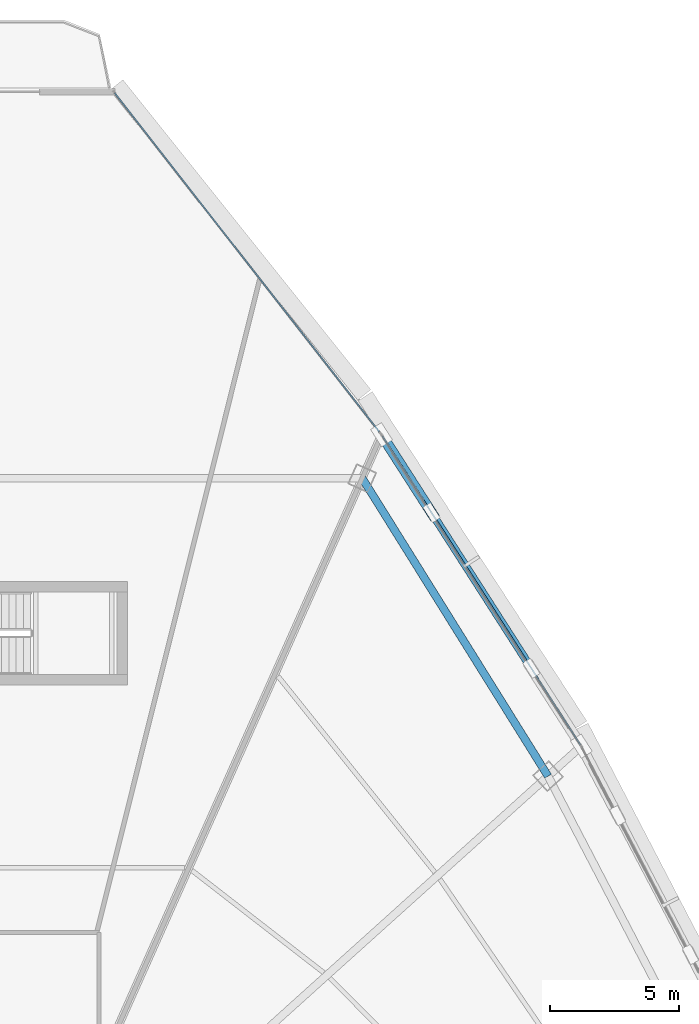
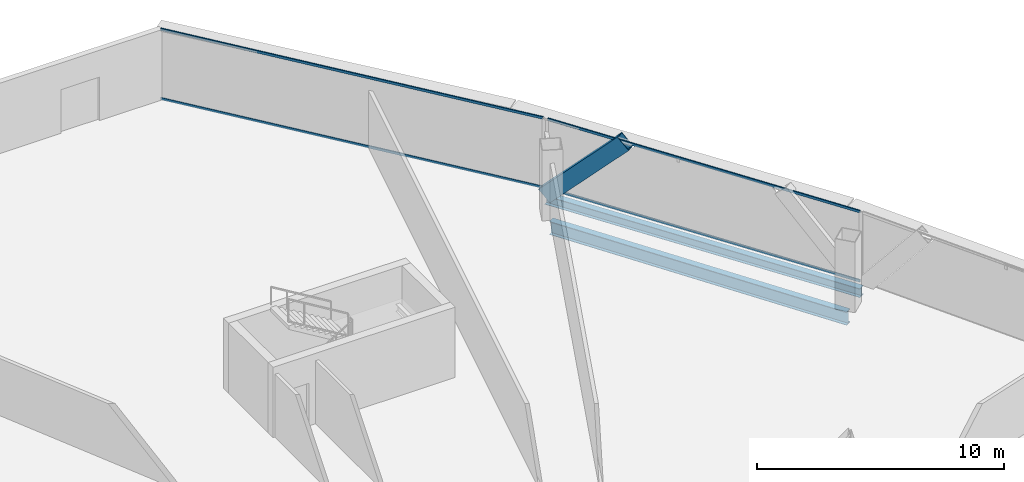
# One storey, part 24 of 37: 5 members, 2 beams, 2 elements without a shape of their own.
"""IFC4 building model written with IfcOpenShell, lengths in metres."""

from ifc_helpers import new_model, si_unit, direction, frame, origin, origin_2d, place, context, subcontext, project, spatial, hollow_rectangle, i_section, extrude, source, transform, mapped, material, layer, layer_set, material_profile, profile_set, type_object, element, aggregate, save


model = new_model("IFC4")

# Units and contexts
model_context = context("Model", 3, precision=1e-05, world=origin(), true_north=direction((0.0, 1.0)))
body_context = subcontext(model_context, "Body", "Model", "MODEL_VIEW")
ifc_project = project(units=[si_unit("LENGTHUNIT", "METRE"), si_unit("AREAUNIT", "SQUARE_METRE"), si_unit("VOLUMEUNIT", "CUBIC_METRE"), si_unit("PLANEANGLEUNIT", "RADIAN"), si_unit("MASSUNIT", "GRAM", prefix="KILO"), si_unit("THERMODYNAMICTEMPERATUREUNIT", "KELVIN"), si_unit("POWERUNIT", "WATT")], contexts=[model_context])

# Site, building, storey
site_placement = place(None, origin())
site = spatial("IfcSite", under=ifc_project, at=site_placement, CompositionType="ELEMENT")
building_placement = place(site_placement, origin())
building = spatial("IfcBuilding", under=site, at=building_placement, Name="Yunzhuo Pagoda Commons", CompositionType="ELEMENT")
storey_placement = place(building_placement, frame((0.0, 0.0, 255.719970703125)))
storey = spatial("IfcBuildingStorey", under=building, at=storey_placement, Name="L64", CompositionType="ELEMENT", Elevation=255.719970703125)

# Beams
ifc_material_1 = material(Name="Structural steel Q355B", Category="steel")
ifc_material_profile_1 = material_profile(ifc_material_1, i_section(OverallWidth=0.300048828125, OverallDepth=0.64990234375, WebThickness=0.012939453125, FlangeThickness=0.02197265625, at=origin_2d()), Name="Structural steel Q355B")
ifc_profile_set_1 = profile_set([ifc_material_profile_1], Name="Structural steel Q355B")
beam_type_1 = type_object("IfcBeamType", Name="B-RG2 Beam HN 650x300x13x22", PredefinedType="BEAM", material=ifc_profile_set_1)
shared_shape_1 = source(origin(), body_context, "Body", "SweptSolid", [
    extrude(i_section(OverallWidth=0.300048828125, OverallDepth=0.64990234375, WebThickness=0.012939453125, FlangeThickness=0.02197265625, at=origin_2d()), origin(), (0.0, 0.0, 1.0), 13.615478515625),
])
beam_1_placement = place(storey_placement, frame((68.61181640625, 52.259033203125, -0.5849609375), z_axis=(-0.529178300485, 0.848510651846, 0.0), x_axis=(-0.848510651846, -0.529178300485, 0.0)))
element("IfcBeam", 1, at=beam_1_placement, inside=storey, type_object=beam_type_1, Name="L64 column-ring beam 7", PredefinedType="BEAM", context=body_context, shape_type="MappedRepresentation", body=[
    mapped(shared_shape_1, transform((0.0, 0.0, 0.0), scale=1.0)),
])
ifc_material_profile_2 = material_profile(ifc_material_1, i_section(OverallWidth=0.300048828125, OverallDepth=0.43994140625, WebThickness=0.010986328125, FlangeThickness=0.01806640625, at=origin_2d()), Name="Structural steel Q355B")
ifc_profile_set_2 = profile_set([ifc_material_profile_2], Name="Structural steel Q355B")
beam_type_2 = type_object("IfcBeamType", Name="B-SP2 Beam HM 440x300x11x18", PredefinedType="BEAM", material=ifc_profile_set_2)
shared_shape_2 = source(origin(), body_context, "Body", "SweptSolid", [
    extrude(i_section(OverallWidth=0.300048828125, OverallDepth=0.43994140625, WebThickness=0.010986328125, FlangeThickness=0.01806640625, at=origin_2d()), origin(), (0.0, 0.0, 1.0), 14.346435546875),
])
beam_2_placement = place(storey_placement, frame((69.902099609375, 53.420654296875, -0.47998046875), z_axis=(-0.539882583277, 0.841740337797, 0.0), x_axis=(-0.841740337797, -0.539882583277, 0.0)))
element("IfcBeam", 2, at=beam_2_placement, inside=storey, type_object=beam_type_2, Name="L64 facade edge spandrel beam F2.3", PredefinedType="BEAM", context=body_context, shape_type="MappedRepresentation", body=[
    mapped(shared_shape_2, transform((0.0, 0.0, 0.0), scale=1.0)),
])

# Member
ifc_material_profile_3 = material_profile(ifc_material_1, hollow_rectangle(XDim=0.39990234375, YDim=0.719970703125, WallThickness=0.02392578125, at=origin_2d()), Name="Structural steel Q355B")
ifc_profile_set_3 = profile_set([ifc_material_profile_3], Name="Structural steel Q355B")
member_type_1 = type_object("IfcMemberType", Name="M-DL2 Brace BOX 720x400x24", PredefinedType="BRACE", material=ifc_profile_set_3)
shared_shape_3 = source(origin(), body_context, "Body", "SweptSolid", [
    extrude(hollow_rectangle(XDim=0.39990234375, YDim=0.719970703125, WallThickness=0.02392578125, at=origin_2d()), origin(), (0.0, 0.0, 1.0), 5.174560546875),
])
member_1_placement = place(storey_placement, frame((62.15673828125, 65.49658203125, -0.260009765625), z_axis=(0.374188704594, -0.583434311059, 0.720823985473), x_axis=(0.84175303115, 0.539862792338, 0.0)))
element("IfcMember", 3, at=member_1_placement, inside=storey, type_object=member_type_1, Name="L64 facade diamond brace F2.3R", PredefinedType="BRACE", context=body_context, shape_type="MappedRepresentation", body=[
    mapped(shared_shape_3, transform((0.0, 0.0, 0.0), scale=1.0)),
])

# Curtain wall, members
ifc_material_2 = material(Name="Anodized aluminium 6063-T6", Category="aluminium")
ifc_layer = layer(ifc_material_2, 0.139892578125)
ifc_layer_set = layer_set([ifc_layer], Name="Anodized aluminium 6063-T6")
curtain_wall_type = type_object("IfcCurtainWallType", Name="CW-HI High-Zone Ribbon Curtain Wall", PredefinedType="NOTDEFINED", material=ifc_layer_set)
curtain_wall_1_placement = place(storey_placement, origin())
curtain_wall_1 = element("IfcCurtainWall", 4, at=curtain_wall_1_placement, inside=storey, type_object=curtain_wall_type, Name="L64 curtain wall CW-L64-F2B4", PredefinedType="NOTDEFINED")
ifc_material_profile_4 = material_profile(ifc_material_2, hollow_rectangle(XDim=0.054931640625, YDim=0.1201171875, WallThickness=0.00341796875, at=origin_2d()), Name="Anodized aluminium 6063-T6")
ifc_profile_set_4 = profile_set([ifc_material_profile_4], Name="Anodized aluminium 6063-T6")
member_type_2 = type_object("IfcMemberType", Name="CW-HI-T Transom RHS 120x55x3.5", PredefinedType="USERDEFINED", material=ifc_profile_set_4)
shared_shape_4 = source(origin(), body_context, "Body", "SweptSolid", [
    extrude(hollow_rectangle(XDim=0.054931640625, YDim=0.1201171875, WallThickness=0.00341796875, at=origin_2d()), origin(), (0.0, 0.0, 1.0), 14.226318359375),
])
member_2_placement = place(storey_placement, frame((69.86962890625, 53.47119140625, 0.027587890625), z_axis=(-0.539876927328, 0.841743965431, 0.0), x_axis=(-0.841743965431, -0.539876927328, 0.0)))
member_2 = element("IfcMember", 5, at=member_2_placement, type_object=member_type_2, Name="CW transom 1.1", ObjectType="TRANSOM", PredefinedType="USERDEFINED", context=body_context, shape_type="MappedRepresentation", body=[
    mapped(shared_shape_4, transform((0.0, 0.0, 0.0), scale=1.0)),
])
member_3_placement = place(storey_placement, frame((69.86962890625, 53.47119140625, 3.442626953125), z_axis=(-0.539876927328, 0.841743965431, 0.0), x_axis=(-0.841743965431, -0.539876927328, 0.0)))
member_3 = element("IfcMember", 6, at=member_3_placement, type_object=member_type_2, Name="CW transom 1.2", ObjectType="TRANSOM", PredefinedType="USERDEFINED", context=body_context, shape_type="MappedRepresentation", body=[
    mapped(shared_shape_4, transform((0.0, 0.0, 0.0), scale=1.0)),
])
aggregate(curtain_wall_1, [member_2, member_3])

curtain_wall_2_placement = place(storey_placement, origin())
curtain_wall_2 = element("IfcCurtainWall", 7, at=curtain_wall_2_placement, inside=storey, type_object=curtain_wall_type, Name="L64 curtain wall CW-L64-F2B5", PredefinedType="NOTDEFINED")
shared_shape_5 = source(origin(), body_context, "Body", "SweptSolid", [
    extrude(hollow_rectangle(XDim=0.054931640625, YDim=0.1201171875, WallThickness=0.00341796875, at=origin_2d()), origin(), (0.0, 0.0, 1.0), 16.68017578125),
])
member_4_placement = place(storey_placement, frame((62.073974609375, 65.60302734375, 0.027587890625), z_axis=(-0.615441221202, 0.788182785429, 0.0), x_axis=(-0.788182785429, -0.615441221202, 0.0)))
member_4 = element("IfcMember", 8, at=member_4_placement, type_object=member_type_2, Name="CW transom 1.1", ObjectType="TRANSOM", PredefinedType="USERDEFINED", context=body_context, shape_type="MappedRepresentation", body=[
    mapped(shared_shape_5, transform((0.0, 0.0, 0.0), scale=1.0)),
])
member_5_placement = place(storey_placement, frame((62.073974609375, 65.60302734375, 3.442626953125), z_axis=(-0.615441221202, 0.788182785429, 0.0), x_axis=(-0.788182785429, -0.615441221202, 0.0)))
member_5 = element("IfcMember", 9, at=member_5_placement, type_object=member_type_2, Name="CW transom 1.2", ObjectType="TRANSOM", PredefinedType="USERDEFINED", context=body_context, shape_type="MappedRepresentation", body=[
    mapped(shared_shape_5, transform((0.0, 0.0, 0.0), scale=1.0)),
])
aggregate(curtain_wall_2, [member_4, member_5])

save(model, "model.ifc")
